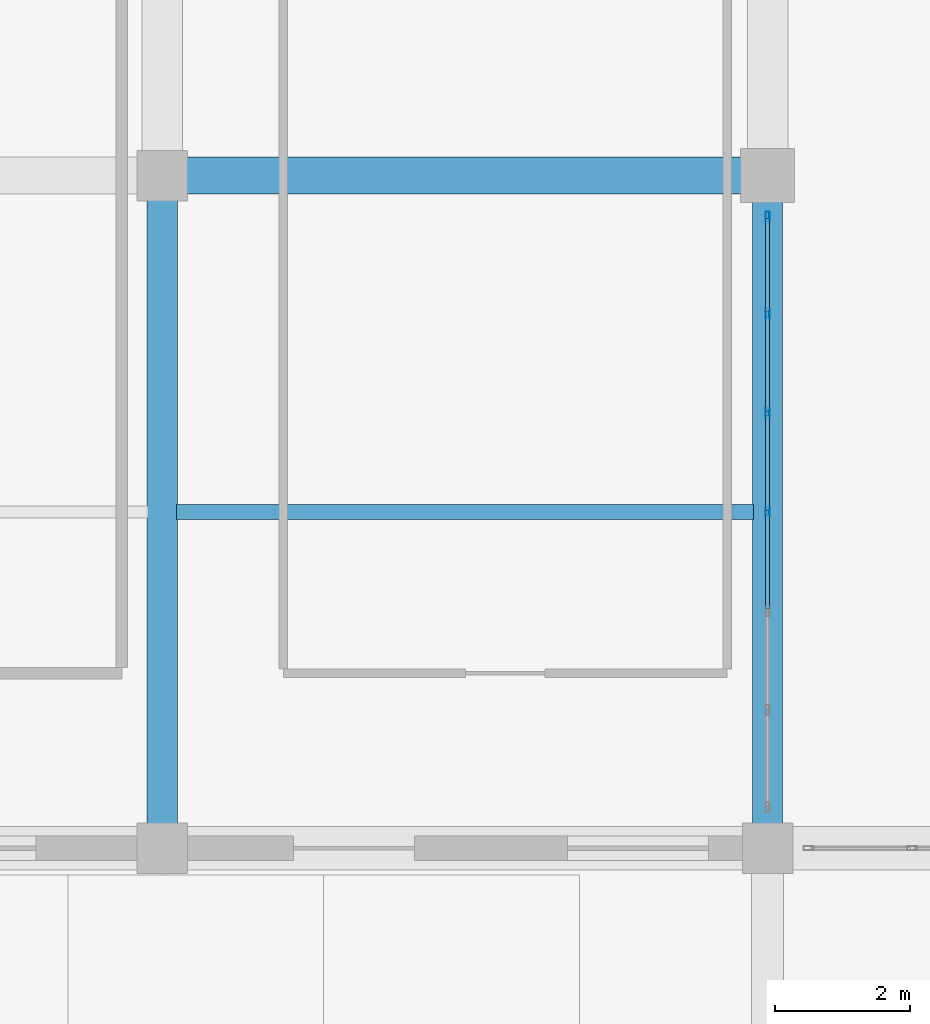
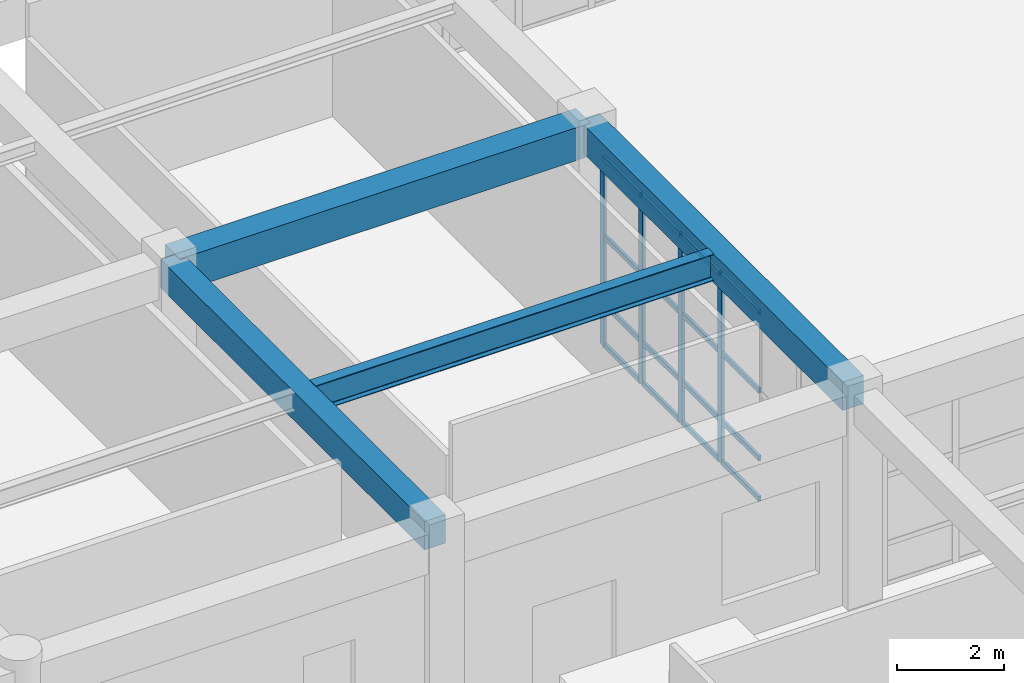
# One storey, part 54 of 128: 20 members, 4 beams, 1 element without a shape of its own.
"""IFC4 building model written with IfcOpenShell, lengths in metres."""

from ifc_helpers import new_model, si_unit, direction, frame, origin, origin_2d, place, context, subcontext, project, spatial, rectangle, hollow_rectangle, i_section, extrude, material, material_profile, profile_set, type_object, element, aggregate, save


model = new_model("IFC4")

# Units and contexts
model_context = context("Model", 3, precision=1e-05, world=origin(), true_north=direction((0.0, 1.0)))
body_context = subcontext(model_context, "Body", "Model", "MODEL_VIEW")
ifc_project = project(units=[si_unit("LENGTHUNIT", "METRE"), si_unit("AREAUNIT", "SQUARE_METRE"), si_unit("VOLUMEUNIT", "CUBIC_METRE"), si_unit("PLANEANGLEUNIT", "RADIAN"), si_unit("MASSUNIT", "GRAM", prefix="KILO")], contexts=[model_context])

# Site, building, storey
site_placement = place(None, origin())
site = spatial("IfcSite", under=ifc_project, at=site_placement, CompositionType="ELEMENT")
building_placement = place(site_placement, origin())
building = spatial("IfcBuilding", under=site, at=building_placement, Name="Miravela Opera House", CompositionType="ELEMENT")
storey_placement = place(building_placement, origin())
storey = spatial("IfcBuildingStorey", under=building, at=storey_placement, Name="L00", CompositionType="ELEMENT", Elevation=0.0)

# Curtain wall, members
ifc_material_1 = material(Name="Anodised architectural bronze aluminium 6063-T6", Category="aluminium")
curtain_wall_type = type_object("IfcCurtainWallType", Name="ARC-CW-04", PredefinedType="NOTDEFINED", material=ifc_material_1)
curtain_wall_placement = place(storey_placement, origin())
curtain_wall = element("IfcCurtainWall", 1, at=curtain_wall_placement, inside=storey, type_object=curtain_wall_type, Name="Courtyard Arcade Curtain Wall CW-L00-075", PredefinedType="NOTDEFINED")
ifc_material_profile_1 = material_profile(ifc_material_1, hollow_rectangle(XDim=0.06005859375, YDim=0.14990234375, WallThickness=0.00390625, InnerFilletRadius=0.001953125, OuterFilletRadius=0.00390625, at=origin_2d()), Name="CWM-60X150")
ifc_profile_set_1 = profile_set([ifc_material_profile_1])
member_type_1 = type_object("IfcMemberType", Name="ARC-CWM-150", PredefinedType="MULLION", material=ifc_profile_set_1)
member_1_placement = place(storey_placement, frame((27.0, 89.0, 0.0), z_axis=(0.0, 0.0, 1.0), x_axis=(-1.0, 0.0, 0.0)))
member_1 = element("IfcMember", 2, at=member_1_placement, type_object=member_type_1, Name="CW-04 mullion 4", PredefinedType="MULLION", context=body_context, shape_type="SweptSolid", body=[
    extrude(hollow_rectangle(XDim=0.06005859375, YDim=0.14990234375, WallThickness=0.00390625, InnerFilletRadius=0.001953125, OuterFilletRadius=0.00390625, at=origin_2d()), origin(), (0.0, 0.0, 1.0), 4.300048828125),
])
member_2_placement = place(storey_placement, frame((27.0, 90.473388671875, 0.0), z_axis=(0.0, 0.0, 1.0), x_axis=(-1.0, 0.0, 0.0)))
member_2 = element("IfcMember", 3, at=member_2_placement, type_object=member_type_1, Name="CW-04 mullion 5", PredefinedType="MULLION", context=body_context, shape_type="SweptSolid", body=[
    extrude(hollow_rectangle(XDim=0.06005859375, YDim=0.14990234375, WallThickness=0.00390625, InnerFilletRadius=0.001953125, OuterFilletRadius=0.00390625, at=origin_2d()), origin(), (0.0, 0.0, 1.0), 4.300048828125),
])
member_3_placement = place(storey_placement, frame((27.0, 91.94677734375, 0.0), z_axis=(0.0, 0.0, 1.0), x_axis=(-1.0, 0.0, 0.0)))
member_3 = element("IfcMember", 4, at=member_3_placement, type_object=member_type_1, Name="CW-04 mullion 6", PredefinedType="MULLION", context=body_context, shape_type="SweptSolid", body=[
    extrude(hollow_rectangle(XDim=0.06005859375, YDim=0.14990234375, WallThickness=0.00390625, InnerFilletRadius=0.001953125, OuterFilletRadius=0.00390625, at=origin_2d()), origin(), (0.0, 0.0, 1.0), 4.300048828125),
])
member_4_placement = place(storey_placement, frame((27.0, 93.389892578125, 0.0), z_axis=(0.0, 0.0, 1.0), x_axis=(-1.0, 0.0, 0.0)))
member_4 = element("IfcMember", 5, at=member_4_placement, type_object=member_type_1, Name="CW-04 mullion 7", PredefinedType="MULLION", context=body_context, shape_type="SweptSolid", body=[
    extrude(hollow_rectangle(XDim=0.06005859375, YDim=0.14990234375, WallThickness=0.00390625, InnerFilletRadius=0.001953125, OuterFilletRadius=0.00390625, at=origin_2d()), origin(), (0.0, 0.0, 1.0), 4.300048828125),
])
ifc_material_profile_2 = material_profile(ifc_material_1, hollow_rectangle(XDim=0.06005859375, YDim=0.114990234375, WallThickness=0.00390625, InnerFilletRadius=0.001953125, OuterFilletRadius=0.00390625, at=origin_2d()), Name="CWT-60X115")
ifc_profile_set_2 = profile_set([ifc_material_profile_2])
member_type_2 = type_object("IfcMemberType", Name="ARC-CWT-115", PredefinedType="USERDEFINED", material=ifc_profile_set_2)
member_5_placement = place(storey_placement, frame((27.0, 87.556640625, 0.030029296875), z_axis=(0.0, 1.0, 0.0), x_axis=(-1.0, 0.0, 0.0)))
member_5 = element("IfcMember", 6, at=member_5_placement, type_object=member_type_2, Name="CW-04 transom 3.1", ObjectType="TRANSOM", PredefinedType="USERDEFINED", context=body_context, shape_type="SweptSolid", body=[
    extrude(hollow_rectangle(XDim=0.06005859375, YDim=0.114990234375, WallThickness=0.00390625, InnerFilletRadius=0.001953125, OuterFilletRadius=0.00390625, at=origin_2d()), origin(), (0.0, 0.0, 1.0), 1.413330078125),
])
member_6_placement = place(storey_placement, frame((27.0, 87.556640625, 0.949951171875), z_axis=(0.0, 1.0, 0.0), x_axis=(-1.0, 0.0, 0.0)))
member_6 = element("IfcMember", 7, at=member_6_placement, type_object=member_type_2, Name="CW-04 transom 3.2", ObjectType="TRANSOM", PredefinedType="USERDEFINED", context=body_context, shape_type="SweptSolid", body=[
    extrude(hollow_rectangle(XDim=0.06005859375, YDim=0.114990234375, WallThickness=0.00390625, InnerFilletRadius=0.001953125, OuterFilletRadius=0.00390625, at=origin_2d()), origin(), (0.0, 0.0, 1.0), 1.413330078125),
])
member_7_placement = place(storey_placement, frame((27.0, 87.556640625, 2.493896484375), z_axis=(0.0, 1.0, 0.0), x_axis=(-1.0, 0.0, 0.0)))
member_7 = element("IfcMember", 8, at=member_7_placement, type_object=member_type_2, Name="CW-04 transom 3.3", ObjectType="TRANSOM", PredefinedType="USERDEFINED", context=body_context, shape_type="SweptSolid", body=[
    extrude(hollow_rectangle(XDim=0.06005859375, YDim=0.114990234375, WallThickness=0.00390625, InnerFilletRadius=0.001953125, OuterFilletRadius=0.00390625, at=origin_2d()), origin(), (0.0, 0.0, 1.0), 1.413330078125),
])
member_8_placement = place(storey_placement, frame((27.0, 87.556640625, 4.27001953125), z_axis=(0.0, 1.0, 0.0), x_axis=(-1.0, 0.0, 0.0)))
member_8 = element("IfcMember", 9, at=member_8_placement, type_object=member_type_2, Name="CW-04 transom 3.4", ObjectType="TRANSOM", PredefinedType="USERDEFINED", context=body_context, shape_type="SweptSolid", body=[
    extrude(hollow_rectangle(XDim=0.06005859375, YDim=0.114990234375, WallThickness=0.00390625, InnerFilletRadius=0.001953125, OuterFilletRadius=0.00390625, at=origin_2d()), origin(), (0.0, 0.0, 1.0), 1.413330078125),
])
member_9_placement = place(storey_placement, frame((27.0, 89.030029296875, 0.030029296875), z_axis=(0.0, 1.0, 0.0), x_axis=(-1.0, 0.0, 0.0)))
member_9 = element("IfcMember", 10, at=member_9_placement, type_object=member_type_2, Name="CW-04 transom 4.1", ObjectType="TRANSOM", PredefinedType="USERDEFINED", context=body_context, shape_type="SweptSolid", body=[
    extrude(hollow_rectangle(XDim=0.06005859375, YDim=0.114990234375, WallThickness=0.00390625, InnerFilletRadius=0.001953125, OuterFilletRadius=0.00390625, at=origin_2d()), origin(), (0.0, 0.0, 1.0), 1.413330078125),
])
member_10_placement = place(storey_placement, frame((27.0, 89.030029296875, 0.949951171875), z_axis=(0.0, 1.0, 0.0), x_axis=(-1.0, 0.0, 0.0)))
member_10 = element("IfcMember", 11, at=member_10_placement, type_object=member_type_2, Name="CW-04 transom 4.2", ObjectType="TRANSOM", PredefinedType="USERDEFINED", context=body_context, shape_type="SweptSolid", body=[
    extrude(hollow_rectangle(XDim=0.06005859375, YDim=0.114990234375, WallThickness=0.00390625, InnerFilletRadius=0.001953125, OuterFilletRadius=0.00390625, at=origin_2d()), origin(), (0.0, 0.0, 1.0), 1.413330078125),
])
member_11_placement = place(storey_placement, frame((27.0, 89.030029296875, 2.493896484375), z_axis=(0.0, 1.0, 0.0), x_axis=(-1.0, 0.0, 0.0)))
member_11 = element("IfcMember", 12, at=member_11_placement, type_object=member_type_2, Name="CW-04 transom 4.3", ObjectType="TRANSOM", PredefinedType="USERDEFINED", context=body_context, shape_type="SweptSolid", body=[
    extrude(hollow_rectangle(XDim=0.06005859375, YDim=0.114990234375, WallThickness=0.00390625, InnerFilletRadius=0.001953125, OuterFilletRadius=0.00390625, at=origin_2d()), origin(), (0.0, 0.0, 1.0), 1.413330078125),
])
member_12_placement = place(storey_placement, frame((27.0, 89.030029296875, 4.27001953125), z_axis=(0.0, 1.0, 0.0), x_axis=(-1.0, 0.0, 0.0)))
member_12 = element("IfcMember", 13, at=member_12_placement, type_object=member_type_2, Name="CW-04 transom 4.4", ObjectType="TRANSOM", PredefinedType="USERDEFINED", context=body_context, shape_type="SweptSolid", body=[
    extrude(hollow_rectangle(XDim=0.06005859375, YDim=0.114990234375, WallThickness=0.00390625, InnerFilletRadius=0.001953125, OuterFilletRadius=0.00390625, at=origin_2d()), origin(), (0.0, 0.0, 1.0), 1.413330078125),
])
member_13_placement = place(storey_placement, frame((27.0, 90.50341796875, 0.030029296875), z_axis=(0.0, 1.0, 0.0), x_axis=(-1.0, 0.0, 0.0)))
member_13 = element("IfcMember", 14, at=member_13_placement, type_object=member_type_2, Name="CW-04 transom 5.1", ObjectType="TRANSOM", PredefinedType="USERDEFINED", context=body_context, shape_type="SweptSolid", body=[
    extrude(hollow_rectangle(XDim=0.06005859375, YDim=0.114990234375, WallThickness=0.00390625, InnerFilletRadius=0.001953125, OuterFilletRadius=0.00390625, at=origin_2d()), origin(), (0.0, 0.0, 1.0), 1.413330078125),
])
member_14_placement = place(storey_placement, frame((27.0, 90.50341796875, 0.949951171875), z_axis=(0.0, 1.0, 0.0), x_axis=(-1.0, 0.0, 0.0)))
member_14 = element("IfcMember", 15, at=member_14_placement, type_object=member_type_2, Name="CW-04 transom 5.2", ObjectType="TRANSOM", PredefinedType="USERDEFINED", context=body_context, shape_type="SweptSolid", body=[
    extrude(hollow_rectangle(XDim=0.06005859375, YDim=0.114990234375, WallThickness=0.00390625, InnerFilletRadius=0.001953125, OuterFilletRadius=0.00390625, at=origin_2d()), origin(), (0.0, 0.0, 1.0), 1.413330078125),
])
member_15_placement = place(storey_placement, frame((27.0, 90.50341796875, 2.493896484375), z_axis=(0.0, 1.0, 0.0), x_axis=(-1.0, 0.0, 0.0)))
member_15 = element("IfcMember", 16, at=member_15_placement, type_object=member_type_2, Name="CW-04 transom 5.3", ObjectType="TRANSOM", PredefinedType="USERDEFINED", context=body_context, shape_type="SweptSolid", body=[
    extrude(hollow_rectangle(XDim=0.06005859375, YDim=0.114990234375, WallThickness=0.00390625, InnerFilletRadius=0.001953125, OuterFilletRadius=0.00390625, at=origin_2d()), origin(), (0.0, 0.0, 1.0), 1.413330078125),
])
member_16_placement = place(storey_placement, frame((27.0, 90.50341796875, 4.27001953125), z_axis=(0.0, 1.0, 0.0), x_axis=(-1.0, 0.0, 0.0)))
member_16 = element("IfcMember", 17, at=member_16_placement, type_object=member_type_2, Name="CW-04 transom 5.4", ObjectType="TRANSOM", PredefinedType="USERDEFINED", context=body_context, shape_type="SweptSolid", body=[
    extrude(hollow_rectangle(XDim=0.06005859375, YDim=0.114990234375, WallThickness=0.00390625, InnerFilletRadius=0.001953125, OuterFilletRadius=0.00390625, at=origin_2d()), origin(), (0.0, 0.0, 1.0), 1.413330078125),
])
member_17_placement = place(storey_placement, frame((27.0, 91.9765625, 0.030029296875), z_axis=(0.0, 1.0, 0.0), x_axis=(-1.0, 0.0, 0.0)))
member_17 = element("IfcMember", 18, at=member_17_placement, type_object=member_type_2, Name="CW-04 transom 6.1", ObjectType="TRANSOM", PredefinedType="USERDEFINED", context=body_context, shape_type="SweptSolid", body=[
    extrude(hollow_rectangle(XDim=0.06005859375, YDim=0.114990234375, WallThickness=0.00390625, InnerFilletRadius=0.001953125, OuterFilletRadius=0.00390625, at=origin_2d()), origin(), (0.0, 0.0, 1.0), 1.383544921875),
])
member_18_placement = place(storey_placement, frame((27.0, 91.9765625, 0.949951171875), z_axis=(0.0, 1.0, 0.0), x_axis=(-1.0, 0.0, 0.0)))
member_18 = element("IfcMember", 19, at=member_18_placement, type_object=member_type_2, Name="CW-04 transom 6.2", ObjectType="TRANSOM", PredefinedType="USERDEFINED", context=body_context, shape_type="SweptSolid", body=[
    extrude(hollow_rectangle(XDim=0.06005859375, YDim=0.114990234375, WallThickness=0.00390625, InnerFilletRadius=0.001953125, OuterFilletRadius=0.00390625, at=origin_2d()), origin(), (0.0, 0.0, 1.0), 1.383544921875),
])
member_19_placement = place(storey_placement, frame((27.0, 91.9765625, 2.493896484375), z_axis=(0.0, 1.0, 0.0), x_axis=(-1.0, 0.0, 0.0)))
member_19 = element("IfcMember", 20, at=member_19_placement, type_object=member_type_2, Name="CW-04 transom 6.3", ObjectType="TRANSOM", PredefinedType="USERDEFINED", context=body_context, shape_type="SweptSolid", body=[
    extrude(hollow_rectangle(XDim=0.06005859375, YDim=0.114990234375, WallThickness=0.00390625, InnerFilletRadius=0.001953125, OuterFilletRadius=0.00390625, at=origin_2d()), origin(), (0.0, 0.0, 1.0), 1.383544921875),
])
member_20_placement = place(storey_placement, frame((27.0, 91.9765625, 4.27001953125), z_axis=(0.0, 1.0, 0.0), x_axis=(-1.0, 0.0, 0.0)))
member_20 = element("IfcMember", 21, at=member_20_placement, type_object=member_type_2, Name="CW-04 transom 6.4", ObjectType="TRANSOM", PredefinedType="USERDEFINED", context=body_context, shape_type="SweptSolid", body=[
    extrude(hollow_rectangle(XDim=0.06005859375, YDim=0.114990234375, WallThickness=0.00390625, InnerFilletRadius=0.001953125, OuterFilletRadius=0.00390625, at=origin_2d()), origin(), (0.0, 0.0, 1.0), 1.383544921875),
])
aggregate(curtain_wall, [member_1, member_2, member_3, member_4, member_5, member_6, member_7, member_8, member_9, member_10, member_11, member_12, member_13, member_14, member_15, member_16, member_17, member_18, member_19, member_20])

# Beams
ifc_material_2 = material(Name="Concrete C35/45", Category="concrete")
ifc_material_profile_3 = material_profile(ifc_material_2, rectangle(XDim=0.449951171875, YDim=0.64990234375, at=origin_2d()), Name="RC-BM-450X650")
ifc_profile_set_3 = profile_set([ifc_material_profile_3])
beam_type_1 = type_object("IfcBeamType", Name="STR-BM-RC450X650", PredefinedType="BEAM", material=ifc_profile_set_3)
for number, where, z_axis, x_axis, name in (
    (22, (18.0, 84.080078125, 4.52490234375), (0.0, 1.0, 0.0), (-1.0, 0.0, 0.0), "Floor Girder L00 3/J-K"),
    (23, (27.0, 84.080078125, 4.544921875), (0.0, 1.0, 0.0), (-1.0, 0.0, 0.0), "Floor Girder L00 4/J-K"),
):
    element("IfcBeam", number, at=place(storey_placement, frame(where, z_axis=z_axis, x_axis=x_axis)), inside=storey, type_object=beam_type_1, Name=name, PredefinedType="BEAM", context=body_context, shape_type="SweptSolid", body=[
        extrude(rectangle(XDim=0.449951171875, YDim=0.64990234375, at=origin_2d()), origin(), (0.0, 0.0, 1.0), 9.83984375),
    ])
ifc_material_profile_4 = material_profile(ifc_material_2, rectangle(XDim=0.550048828125, YDim=0.75, at=origin_2d()), Name="RC-BM-550X750")
ifc_profile_set_4 = profile_set([ifc_material_profile_4])
beam_type_2 = type_object("IfcBeamType", Name="STR-BM-RC550X750", PredefinedType="BEAM", material=ifc_profile_set_4)
beam_1_placement = place(storey_placement, frame((18.080078125, 94.0, 4.4951171875), z_axis=(1.0, 0.0, 0.0), x_axis=(0.0, 1.0, 0.0)))
element("IfcBeam", 24, at=beam_1_placement, inside=storey, type_object=beam_type_2, Name="Floor Girder L00 3-4/K", PredefinedType="BEAM", context=body_context, shape_type="SweptSolid", body=[
    extrude(rectangle(XDim=0.550048828125, YDim=0.75, at=origin_2d()), origin(), (0.0, 0.0, 1.0), 8.83984375),
])
ifc_material_3 = material(Name="Structural steel ASTM A992 Gr. 50", Category="steel")
ifc_material_profile_5 = material_profile(ifc_material_3, i_section(OverallWidth=0.22802734375, OverallDepth=0.60791015625, WebThickness=0.01123046875, FlangeThickness=0.017333984375, FilletRadius=0.01611328125, at=origin_2d()), Name="W610X113")
ifc_profile_set_5 = profile_set([ifc_material_profile_5])
beam_type_3 = type_object("IfcBeamType", Name="STR-BM-W610X113", PredefinedType="BEAM", material=ifc_profile_set_5)
beam_2_placement = place(storey_placement, frame((18.2099609375, 89.0, 4.56591796875), z_axis=(1.0, 0.0, 0.0), x_axis=(0.0, 1.0, 0.0)))
element("IfcBeam", 25, at=beam_2_placement, inside=storey, type_object=beam_type_3, Name="Secondary Floor Joist L00 3-4/J-K", PredefinedType="BEAM", context=body_context, shape_type="SweptSolid", body=[
    extrude(i_section(OverallWidth=0.22802734375, OverallDepth=0.60791015625, WebThickness=0.01123046875, FlangeThickness=0.017333984375, FilletRadius=0.01611328125, at=origin_2d()), origin(), (0.0, 0.0, 1.0), 8.580078125),
])

save(model, "model.ifc")
